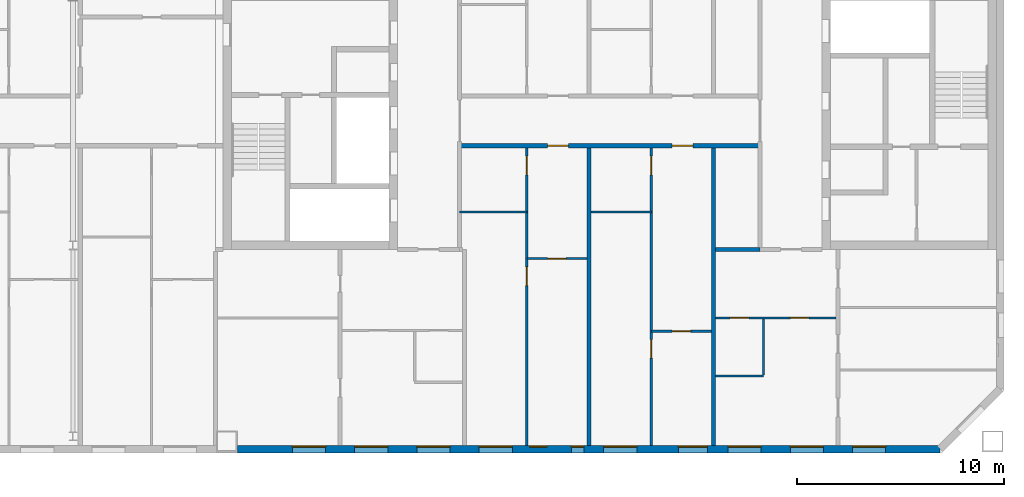
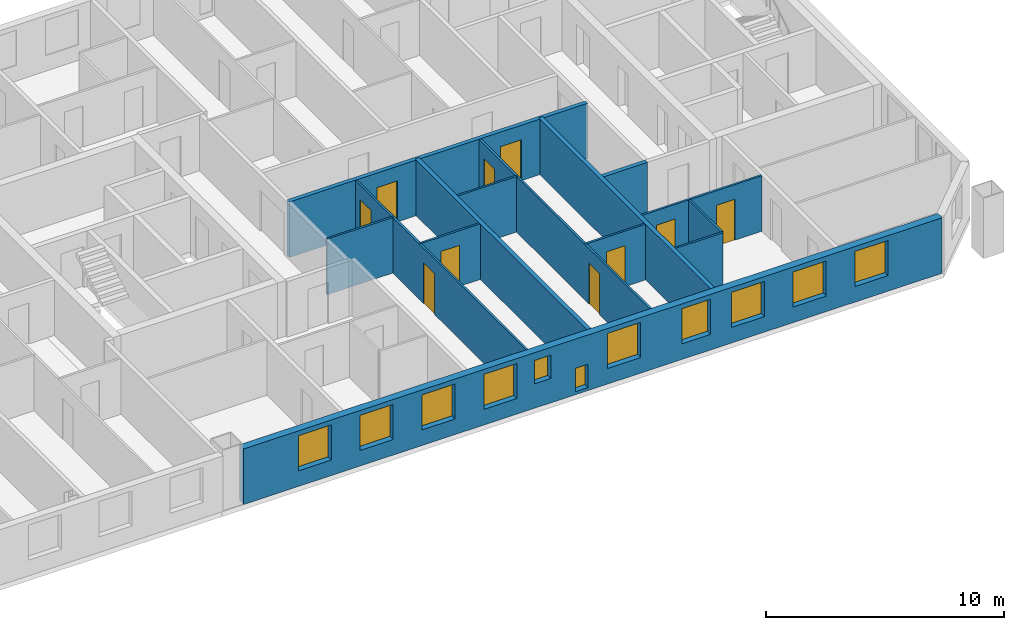
# One storey, part 14 of 19: 14 walls, 11 windows, 10 doors, 21 openings.
"""IFC4 building model written with IfcOpenShell, lengths in metres."""

from ifc_helpers import new_model, si_unit, direction, frame, frame_2d, origin, place, context, subcontext, project, spatial, rectangle, extrude, material, layer, layer_set, type_object, element, fill, save


model = new_model("IFC4")

# Units and contexts
model_context = context("Model", 3, precision=1e-05, world=origin(), true_north=direction((0.0, 1.0)))
body_context = subcontext(model_context, "Body", "Model", "MODEL_VIEW")
ifc_project = project(units=[si_unit("LENGTHUNIT", "METRE"), si_unit("AREAUNIT", "SQUARE_METRE"), si_unit("VOLUMEUNIT", "CUBIC_METRE"), si_unit("PLANEANGLEUNIT", "RADIAN"), si_unit("MASSUNIT", "GRAM", prefix="KILO")], contexts=[model_context])

# Site, building, storey
site_placement = place(None, origin())
site = spatial("IfcSite", under=ifc_project, at=site_placement, CompositionType="ELEMENT")
building_placement = place(site_placement, origin())
building = spatial("IfcBuilding", under=site, at=building_placement, Name="Tuart Gate Housing", CompositionType="ELEMENT")
storey_placement = place(building_placement, frame((0.0, 0.0, 230.699951171875)))
storey = spatial("IfcBuildingStorey", under=building, at=storey_placement, Name="L65", CompositionType="ELEMENT", Elevation=230.699951171875)

# Wall, openings, windows
ifc_material_1 = material(Name="Brick", Category="masonry")
ifc_layer_1 = layer(ifc_material_1, 0.360107421875)
ifc_layer_set_1 = layer_set([ifc_layer_1], Name="Brick pier and spandrel wall 360")
wall_type_1 = type_object("IfcWallType", Name="Brick pier and spandrel wall 360", PredefinedType="STANDARD", material=ifc_layer_set_1)
wall_1_placement = place(storey_placement, frame((132.050048828125, 54.179931640625, 0.0), z_axis=(0.0, 0.0, 1.0), x_axis=(1.0, 0.0, 0.0)))
wall_1 = element("IfcWall", 1, at=wall_1_placement, inside=storey, type_object=wall_type_1, Name="External wall BLK-S L65", PredefinedType="STANDARD", context=body_context, shape_type="SweptSolid", body=[
    extrude(rectangle(XDim=33.87548828125, YDim=0.360107421875, at=frame_2d((16.937744140625, 0.0))), origin(), (0.0, 0.0, 1.0), 2.85009765625),
])
opening_1_placement = place(wall_1_placement, frame((2.64990234375, 0.0, 0.800048828125)))
opening_1 = element("IfcOpeningElement", 2, at=opening_1_placement, cuts=wall_1, Name="Opening W1", PredefinedType="OPENING", context=body_context, shape_type="SweptSolid", body=[
    extrude(rectangle(XDim=1.60009765625, YDim=1.800048828125, at=frame_2d((0.800048828125, 0.89990234375))), frame((0.0, 0.18994140625, 0.0), z_axis=(0.0, -1.0, 0.0), x_axis=(1.0, 0.0, 0.0)), (0.0, 0.0, 1.0), 0.380126953125),
])
opening_2_placement = place(wall_1_placement, frame((5.64990234375, 0.0, 0.800048828125)))
opening_2 = element("IfcOpeningElement", 3, at=opening_2_placement, cuts=wall_1, Name="Opening W1", PredefinedType="OPENING", context=body_context, shape_type="SweptSolid", body=[
    extrude(rectangle(XDim=1.60009765625, YDim=1.800048828125, at=frame_2d((0.800048828125, 0.89990234375))), frame((0.0, 0.18994140625, 0.0), z_axis=(0.0, -1.0, 0.0), x_axis=(1.0, 0.0, 0.0)), (0.0, 0.0, 1.0), 0.380126953125),
])
opening_3_placement = place(wall_1_placement, frame((8.64990234375, 0.0, 0.800048828125)))
opening_3 = element("IfcOpeningElement", 4, at=opening_3_placement, cuts=wall_1, Name="Opening W1", PredefinedType="OPENING", context=body_context, shape_type="SweptSolid", body=[
    extrude(rectangle(XDim=1.60009765625, YDim=1.800048828125, at=frame_2d((0.800048828125, 0.89990234375))), frame((0.0, 0.18994140625, 0.0), z_axis=(0.0, -1.0, 0.0), x_axis=(1.0, 0.0, 0.0)), (0.0, 0.0, 1.0), 0.380126953125),
])
opening_4_placement = place(wall_1_placement, frame((11.64990234375, 0.0, 0.800048828125)))
opening_4 = element("IfcOpeningElement", 5, at=opening_4_placement, cuts=wall_1, Name="Opening W1", PredefinedType="OPENING", context=body_context, shape_type="SweptSolid", body=[
    extrude(rectangle(XDim=1.60009765625, YDim=1.800048828125, at=frame_2d((0.800048828125, 0.89990234375))), frame((0.0, 0.18994140625, 0.0), z_axis=(0.0, -1.0, 0.0), x_axis=(1.0, 0.0, 0.0)), (0.0, 0.0, 1.0), 0.380126953125),
])
opening_5_placement = place(wall_1_placement, frame((14.10009765625, 0.0, 1.25)))
opening_5 = element("IfcOpeningElement", 6, at=opening_5_placement, cuts=wall_1, Name="Opening W1P", PredefinedType="OPENING", context=body_context, shape_type="SweptSolid", body=[
    extrude(rectangle(XDim=0.800048828125, YDim=1.199951171875, at=frame_2d((0.39990234375, 0.60009765625))), frame((0.0, 0.18994140625, 0.0), z_axis=(0.0, -1.0, 0.0), x_axis=(1.0, 0.0, 0.0)), (0.0, 0.0, 1.0), 0.380126953125),
])
opening_6_placement = place(wall_1_placement, frame((17.64990234375, 0.0, 0.800048828125)))
opening_6 = element("IfcOpeningElement", 7, at=opening_6_placement, cuts=wall_1, Name="Opening W1", PredefinedType="OPENING", context=body_context, shape_type="SweptSolid", body=[
    extrude(rectangle(XDim=1.60009765625, YDim=1.800048828125, at=frame_2d((0.800048828125, 0.89990234375))), frame((0.0, 0.18994140625, 0.0), z_axis=(0.0, -1.0, 0.0), x_axis=(1.0, 0.0, 0.0)), (0.0, 0.0, 1.0), 0.380126953125),
])
opening_7_placement = place(wall_1_placement, frame((21.25, 0.0, 0.800048828125)))
opening_7 = element("IfcOpeningElement", 8, at=opening_7_placement, cuts=wall_1, Name="Opening W1A", PredefinedType="OPENING", context=body_context, shape_type="SweptSolid", body=[
    extrude(rectangle(XDim=1.39990234375, YDim=1.800048828125, at=frame_2d((0.699951171875, 0.89990234375))), frame((0.0, 0.18994140625, 0.0), z_axis=(0.0, -1.0, 0.0), x_axis=(1.0, 0.0, 0.0)), (0.0, 0.0, 1.0), 0.380126953125),
])
opening_8_placement = place(wall_1_placement, frame((23.64990234375, 0.0, 0.800048828125)))
opening_8 = element("IfcOpeningElement", 9, at=opening_8_placement, cuts=wall_1, Name="Opening W1", PredefinedType="OPENING", context=body_context, shape_type="SweptSolid", body=[
    extrude(rectangle(XDim=1.60009765625, YDim=1.800048828125, at=frame_2d((0.800048828125, 0.89990234375))), frame((0.0, 0.18994140625, 0.0), z_axis=(0.0, -1.0, 0.0), x_axis=(1.0, 0.0, 0.0)), (0.0, 0.0, 1.0), 0.380126953125),
])
opening_9_placement = place(wall_1_placement, frame((26.64990234375, 0.0, 0.800048828125)))
opening_9 = element("IfcOpeningElement", 10, at=opening_9_placement, cuts=wall_1, Name="Opening W1", PredefinedType="OPENING", context=body_context, shape_type="SweptSolid", body=[
    extrude(rectangle(XDim=1.60009765625, YDim=1.800048828125, at=frame_2d((0.800048828125, 0.89990234375))), frame((0.0, 0.18994140625, 0.0), z_axis=(0.0, -1.0, 0.0), x_axis=(1.0, 0.0, 0.0)), (0.0, 0.0, 1.0), 0.380126953125),
])
opening_10_placement = place(wall_1_placement, frame((29.64990234375, 0.0, 0.800048828125)))
opening_10 = element("IfcOpeningElement", 11, at=opening_10_placement, cuts=wall_1, Name="Opening W1", PredefinedType="OPENING", context=body_context, shape_type="SweptSolid", body=[
    extrude(rectangle(XDim=1.60009765625, YDim=1.800048828125, at=frame_2d((0.800048828125, 0.89990234375))), frame((0.0, 0.18994140625, 0.0), z_axis=(0.0, -1.0, 0.0), x_axis=(1.0, 0.0, 0.0)), (0.0, 0.0, 1.0), 0.380126953125),
])
opening_11_placement = place(wall_1_placement, frame((16.10009765625, 0.0, 0.14990234375)))
opening_11 = element("IfcOpeningElement", 12, at=opening_11_placement, cuts=wall_1, Name="Opening W1Q", PredefinedType="OPENING", context=body_context, shape_type="SweptSolid", body=[
    extrude(rectangle(XDim=0.60009765625, YDim=1.199951171875, at=frame_2d((0.300048828125, 0.60009765625))), frame((0.0, 0.18994140625, 0.0), z_axis=(0.0, -1.0, 0.0), x_axis=(1.0, 0.0, 0.0)), (0.0, 0.0, 1.0), 0.380126953125),
])
ifc_material_2 = material(Name="Aluminium frame with clear glass", Category="aluminium")
window_type_1 = type_object("IfcWindowType", Name="Punched window 1400 x 1800", PartitioningType="SINGLE_PANEL", PredefinedType="WINDOW", material=ifc_material_2)
window_1_placement = place(opening_7_placement, origin())
window_1 = element("IfcWindow", 13, at=window_1_placement, inside=storey, type_object=window_type_1, Name="Window W1A", OverallHeight=1.800048828125, OverallWidth=1.39990234375, PartitioningType="SINGLE_PANEL", PredefinedType="WINDOW", context=body_context, shape_type="SweptSolid", body=[
    extrude(rectangle(XDim=1.39990234375, YDim=1.800048828125, at=frame_2d((0.699951171875, 0.89990234375))), frame((0.0, 0.150146484375, 0.0), z_axis=(0.0, -1.0, 0.0), x_axis=(1.0, 0.0, 0.0)), (0.0, 0.0, 1.0), 0.06005859375),
])
fill(opening_7, window_1)
ifc_material_3 = material(Name="Aluminium frame with clear glass", Category="aluminium")
window_type_2 = type_object("IfcWindowType", Name="Punched window 1600 x 1800", PartitioningType="SINGLE_PANEL", PredefinedType="WINDOW", material=ifc_material_3)
window_2_placement = place(opening_1_placement, origin())
window_2 = element("IfcWindow", 14, at=window_2_placement, inside=storey, type_object=window_type_2, Name="Window W1", OverallHeight=1.800048828125, OverallWidth=1.60009765625, PartitioningType="SINGLE_PANEL", PredefinedType="WINDOW", context=body_context, shape_type="SweptSolid", body=[
    extrude(rectangle(XDim=1.60009765625, YDim=1.800048828125, at=frame_2d((0.800048828125, 0.89990234375))), frame((0.0, 0.150146484375, 0.0), z_axis=(0.0, -1.0, 0.0), x_axis=(1.0, 0.0, 0.0)), (0.0, 0.0, 1.0), 0.06005859375),
])
fill(opening_1, window_2)
window_3_placement = place(opening_2_placement, origin())
window_3 = element("IfcWindow", 15, at=window_3_placement, inside=storey, type_object=window_type_2, Name="Window W1", OverallHeight=1.800048828125, OverallWidth=1.60009765625, PartitioningType="SINGLE_PANEL", PredefinedType="WINDOW", context=body_context, shape_type="SweptSolid", body=[
    extrude(rectangle(XDim=1.60009765625, YDim=1.800048828125, at=frame_2d((0.800048828125, 0.89990234375))), frame((0.0, 0.150146484375, 0.0), z_axis=(0.0, -1.0, 0.0), x_axis=(1.0, 0.0, 0.0)), (0.0, 0.0, 1.0), 0.06005859375),
])
fill(opening_2, window_3)
window_4_placement = place(opening_3_placement, origin())
window_4 = element("IfcWindow", 16, at=window_4_placement, inside=storey, type_object=window_type_2, Name="Window W1", OverallHeight=1.800048828125, OverallWidth=1.60009765625, PartitioningType="SINGLE_PANEL", PredefinedType="WINDOW", context=body_context, shape_type="SweptSolid", body=[
    extrude(rectangle(XDim=1.60009765625, YDim=1.800048828125, at=frame_2d((0.800048828125, 0.89990234375))), frame((0.0, 0.150146484375, 0.0), z_axis=(0.0, -1.0, 0.0), x_axis=(1.0, 0.0, 0.0)), (0.0, 0.0, 1.0), 0.06005859375),
])
fill(opening_3, window_4)
window_5_placement = place(opening_4_placement, origin())
window_5 = element("IfcWindow", 17, at=window_5_placement, inside=storey, type_object=window_type_2, Name="Window W1", OverallHeight=1.800048828125, OverallWidth=1.60009765625, PartitioningType="SINGLE_PANEL", PredefinedType="WINDOW", context=body_context, shape_type="SweptSolid", body=[
    extrude(rectangle(XDim=1.60009765625, YDim=1.800048828125, at=frame_2d((0.800048828125, 0.89990234375))), frame((0.0, 0.150146484375, 0.0), z_axis=(0.0, -1.0, 0.0), x_axis=(1.0, 0.0, 0.0)), (0.0, 0.0, 1.0), 0.06005859375),
])
fill(opening_4, window_5)
window_6_placement = place(opening_6_placement, origin())
window_6 = element("IfcWindow", 18, at=window_6_placement, inside=storey, type_object=window_type_2, Name="Window W1", OverallHeight=1.800048828125, OverallWidth=1.60009765625, PartitioningType="SINGLE_PANEL", PredefinedType="WINDOW", context=body_context, shape_type="SweptSolid", body=[
    extrude(rectangle(XDim=1.60009765625, YDim=1.800048828125, at=frame_2d((0.800048828125, 0.89990234375))), frame((0.0, 0.150146484375, 0.0), z_axis=(0.0, -1.0, 0.0), x_axis=(1.0, 0.0, 0.0)), (0.0, 0.0, 1.0), 0.06005859375),
])
fill(opening_6, window_6)
window_7_placement = place(opening_8_placement, origin())
window_7 = element("IfcWindow", 19, at=window_7_placement, inside=storey, type_object=window_type_2, Name="Window W1", OverallHeight=1.800048828125, OverallWidth=1.60009765625, PartitioningType="SINGLE_PANEL", PredefinedType="WINDOW", context=body_context, shape_type="SweptSolid", body=[
    extrude(rectangle(XDim=1.60009765625, YDim=1.800048828125, at=frame_2d((0.800048828125, 0.89990234375))), frame((0.0, 0.150146484375, 0.0), z_axis=(0.0, -1.0, 0.0), x_axis=(1.0, 0.0, 0.0)), (0.0, 0.0, 1.0), 0.06005859375),
])
fill(opening_8, window_7)
window_8_placement = place(opening_9_placement, origin())
window_8 = element("IfcWindow", 20, at=window_8_placement, inside=storey, type_object=window_type_2, Name="Window W1", OverallHeight=1.800048828125, OverallWidth=1.60009765625, PartitioningType="SINGLE_PANEL", PredefinedType="WINDOW", context=body_context, shape_type="SweptSolid", body=[
    extrude(rectangle(XDim=1.60009765625, YDim=1.800048828125, at=frame_2d((0.800048828125, 0.89990234375))), frame((0.0, 0.150146484375, 0.0), z_axis=(0.0, -1.0, 0.0), x_axis=(1.0, 0.0, 0.0)), (0.0, 0.0, 1.0), 0.06005859375),
])
fill(opening_9, window_8)
window_9_placement = place(opening_10_placement, origin())
window_9 = element("IfcWindow", 21, at=window_9_placement, inside=storey, type_object=window_type_2, Name="Window W1", OverallHeight=1.800048828125, OverallWidth=1.60009765625, PartitioningType="SINGLE_PANEL", PredefinedType="WINDOW", context=body_context, shape_type="SweptSolid", body=[
    extrude(rectangle(XDim=1.60009765625, YDim=1.800048828125, at=frame_2d((0.800048828125, 0.89990234375))), frame((0.0, 0.150146484375, 0.0), z_axis=(0.0, -1.0, 0.0), x_axis=(1.0, 0.0, 0.0)), (0.0, 0.0, 1.0), 0.06005859375),
])
fill(opening_10, window_9)
ifc_material_4 = material(Name="Aluminium frame with clear glass", Category="aluminium")
window_type_3 = type_object("IfcWindowType", Name="Punched window 600 x 1200", PartitioningType="SINGLE_PANEL", PredefinedType="WINDOW", material=ifc_material_4)
window_10_placement = place(opening_11_placement, origin())
window_10 = element("IfcWindow", 22, at=window_10_placement, inside=storey, type_object=window_type_3, Name="Window W1Q", OverallHeight=1.199951171875, OverallWidth=0.60009765625, PartitioningType="SINGLE_PANEL", PredefinedType="WINDOW", context=body_context, shape_type="SweptSolid", body=[
    extrude(rectangle(XDim=0.60009765625, YDim=1.199951171875, at=frame_2d((0.300048828125, 0.60009765625))), frame((0.0, 0.150146484375, 0.0), z_axis=(0.0, -1.0, 0.0), x_axis=(1.0, 0.0, 0.0)), (0.0, 0.0, 1.0), 0.06005859375),
])
fill(opening_11, window_10)
ifc_material_5 = material(Name="Aluminium frame with clear glass", Category="aluminium")
window_type_4 = type_object("IfcWindowType", Name="Punched window 800 x 1200", PartitioningType="SINGLE_PANEL", PredefinedType="WINDOW", material=ifc_material_5)
window_11_placement = place(opening_5_placement, origin())
window_11 = element("IfcWindow", 23, at=window_11_placement, inside=storey, type_object=window_type_4, Name="Window W1P", OverallHeight=1.199951171875, OverallWidth=0.800048828125, PartitioningType="SINGLE_PANEL", PredefinedType="WINDOW", context=body_context, shape_type="SweptSolid", body=[
    extrude(rectangle(XDim=0.800048828125, YDim=1.199951171875, at=frame_2d((0.39990234375, 0.60009765625))), frame((0.0, 0.150146484375, 0.0), z_axis=(0.0, -1.0, 0.0), x_axis=(1.0, 0.0, 0.0)), (0.0, 0.0, 1.0), 0.06005859375),
])
fill(opening_5, window_11)

# Wall, openings, doors
ifc_material_6 = material(Name="Concrete masonry 15 MPa", Category="masonry")
ifc_layer_2 = layer(ifc_material_6, 0.199951171875)
ifc_layer_set_2 = layer_set([ifc_layer_2], Name="Corridor wall masonry 200")
wall_type_2 = type_object("IfcWallType", Name="Corridor wall masonry 200", PredefinedType="PARTITIONING", material=ifc_layer_set_2)
wall_2_placement = place(storey_placement, frame((142.760009765625, 68.800048828125, 0.0), z_axis=(0.0, 0.0, 1.0), x_axis=(1.0, 0.0, 0.0)))
wall_2 = element("IfcWall", 24, at=wall_2_placement, inside=storey, type_object=wall_type_2, Name="Corridor wall masonry 200", PredefinedType="PARTITIONING", context=body_context, shape_type="SweptSolid", body=[
    extrude(rectangle(XDim=14.47998046875, YDim=0.199951171875, at=frame_2d((7.239990234375, 0.0))), origin(), (0.0, 0.0, 1.0), 2.85009765625),
])
opening_12_placement = place(wall_2_placement, frame((4.239990234375, 0.0, 0.0)))
opening_12 = element("IfcOpeningElement", 25, at=opening_12_placement, cuts=wall_2, Name="Opening D2585", PredefinedType="OPENING", context=body_context, shape_type="SweptSolid", body=[
    extrude(rectangle(XDim=1.0, YDim=2.10009765625, at=frame_2d((0.5, 1.050048828125))), frame((0.0, 0.10986328125, 0.0), z_axis=(0.0, -1.0, 0.0), x_axis=(1.0, 0.0, 0.0)), (0.0, 0.0, 1.0), 0.219970703125),
])
opening_13_placement = place(wall_2_placement, frame((10.239990234375, 0.0, 0.0)))
opening_13 = element("IfcOpeningElement", 26, at=opening_13_placement, cuts=wall_2, Name="Opening D2586", PredefinedType="OPENING", context=body_context, shape_type="SweptSolid", body=[
    extrude(rectangle(XDim=1.0, YDim=2.10009765625, at=frame_2d((0.5, 1.050048828125))), frame((0.0, 0.10986328125, 0.0), z_axis=(0.0, -1.0, 0.0), x_axis=(1.0, 0.0, 0.0)), (0.0, 0.0, 1.0), 0.219970703125),
])
ifc_material_7 = material(Name="Timber door leaf in steel frame", Category="steel")
door_type_1 = type_object("IfcDoorType", Name="Flat entrance door 1000 RH", OperationType="SINGLE_SWING_RIGHT", PredefinedType="DOOR", material=ifc_material_7)
door_1_placement = place(opening_12_placement, frame((1.0, 0.0, 0.0), z_axis=(0.0, 0.0, 1.0), x_axis=(-1.0, 0.0, 0.0)))
door_1 = element("IfcDoor", 27, at=door_1_placement, inside=storey, type_object=door_type_1, Name="Flat entrance door", OperationType="SINGLE_SWING_RIGHT", OverallHeight=2.10009765625, OverallWidth=1.0, PredefinedType="DOOR", context=body_context, shape_type="SweptSolid", body=[
    extrude(rectangle(XDim=1.0, YDim=2.10009765625, at=frame_2d((0.5, 1.050048828125))), frame((0.0, 0.025146484375, 0.0), z_axis=(0.0, -1.0, 0.0), x_axis=(1.0, 0.0, 0.0)), (0.0, 0.0, 1.0), 0.050048828125),
])
fill(opening_12, door_1)
door_2_placement = place(opening_13_placement, frame((1.0, 0.0, 0.0), z_axis=(0.0, 0.0, 1.0), x_axis=(-1.0, 0.0, 0.0)))
door_2 = element("IfcDoor", 28, at=door_2_placement, inside=storey, type_object=door_type_1, Name="Flat entrance door", OperationType="SINGLE_SWING_RIGHT", OverallHeight=2.10009765625, OverallWidth=1.0, PredefinedType="DOOR", context=body_context, shape_type="SweptSolid", body=[
    extrude(rectangle(XDim=1.0, YDim=2.10009765625, at=frame_2d((0.5, 1.050048828125))), frame((0.0, 0.025146484375, 0.0), z_axis=(0.0, -1.0, 0.0), x_axis=(1.0, 0.0, 0.0)), (0.0, 0.0, 1.0), 0.050048828125),
])
fill(opening_13, door_2)

# Wall
ifc_material_8 = material(Name="Gypsum board on steel studs", Category="steel")
ifc_layer_3 = layer(ifc_material_8, 0.10009765625)
ifc_layer_set_3 = layer_set([ifc_layer_3], Name="Partition 100")
wall_type_3 = type_object("IfcWallType", Name="Partition 100", PredefinedType="PARTITIONING", material=ifc_layer_set_3)
wall_3_placement = place(storey_placement, frame((155.10009765625, 57.699951171875, 0.0), z_axis=(0.0, 0.0, 1.0), x_axis=(1.0, 0.0, 0.0)))
element("IfcWall", 29, at=wall_3_placement, inside=storey, type_object=wall_type_3, Name="Partition 100", PredefinedType="PARTITIONING", context=body_context, shape_type="SweptSolid", body=[
    extrude(rectangle(XDim=2.2998046875, YDim=0.10009765625, at=frame_2d((1.14990234375, 0.0))), origin(), (0.0, 0.0, 1.0), 2.85009765625),
])

# Wall, opening, door
wall_4_placement = place(storey_placement, frame((152.0, 59.860107421875, 0.0), z_axis=(0.0, 0.0, 1.0), x_axis=(1.0, 0.0, 0.0)))
wall_4 = element("IfcWall", 30, at=wall_4_placement, inside=storey, type_object=wall_type_3, Name="Partition 100", PredefinedType="PARTITIONING", context=body_context, shape_type="SweptSolid", body=[
    extrude(rectangle(XDim=2.89990234375, YDim=0.10009765625, at=frame_2d((1.449951171875, 0.0))), origin(), (0.0, 0.0, 1.0), 2.85009765625),
])
opening_14_placement = place(wall_4_placement, frame((1.0, 0.0, 0.0)))
opening_14 = element("IfcOpeningElement", 31, at=opening_14_placement, cuts=wall_4, Name="Opening D2601", PredefinedType="OPENING", context=body_context, shape_type="SweptSolid", body=[
    extrude(rectangle(XDim=0.89990234375, YDim=2.10009765625, at=frame_2d((0.449951171875, 1.050048828125))), frame((0.0, 0.06005859375, 0.0), z_axis=(0.0, -1.0, 0.0), x_axis=(1.0, 0.0, 0.0)), (0.0, 0.0, 1.0), 0.1201171875),
])
ifc_material_9 = material(Name="Timber door leaf in steel frame", Category="steel")
door_type_2 = type_object("IfcDoorType", Name="Internal door 900", OperationType="SINGLE_SWING_LEFT", PredefinedType="DOOR", material=ifc_material_9)
door_3_placement = place(opening_14_placement, origin())
door_3 = element("IfcDoor", 32, at=door_3_placement, inside=storey, type_object=door_type_2, Name="Internal door", OperationType="SINGLE_SWING_LEFT", OverallHeight=2.10009765625, OverallWidth=0.89990234375, PredefinedType="DOOR", context=body_context, shape_type="SweptSolid", body=[
    extrude(rectangle(XDim=0.89990234375, YDim=2.10009765625, at=frame_2d((0.449951171875, 1.050048828125))), frame((0.0, 0.02490234375, 0.0), z_axis=(0.0, -1.0, 0.0), x_axis=(1.0, 0.0, 0.0)), (0.0, 0.0, 1.0), 0.050048828125),
])
fill(opening_14, door_3)

# Wall, openings, doors
wall_5_placement = place(storey_placement, frame((155.10009765625, 60.5, 0.0), z_axis=(0.0, 0.0, 1.0), x_axis=(1.0, 0.0, 0.0)))
wall_5 = element("IfcWall", 33, at=wall_5_placement, inside=storey, type_object=wall_type_3, Name="Partition 100", PredefinedType="PARTITIONING", context=body_context, shape_type="SweptSolid", body=[
    extrude(rectangle(XDim=5.7998046875, YDim=0.10009765625, at=frame_2d((2.89990234375, 0.0))), origin(), (0.0, 0.0, 1.0), 2.85009765625),
])
opening_15_placement = place(wall_5_placement, frame((3.60009765625, 0.0, 0.0)))
opening_15 = element("IfcOpeningElement", 34, at=opening_15_placement, cuts=wall_5, Name="Opening D2598", PredefinedType="OPENING", context=body_context, shape_type="SweptSolid", body=[
    extrude(rectangle(XDim=0.89990234375, YDim=2.10009765625, at=frame_2d((0.449951171875, 1.050048828125))), frame((0.0, 0.06005859375, 0.0), z_axis=(0.0, -1.0, 0.0), x_axis=(1.0, 0.0, 0.0)), (0.0, 0.0, 1.0), 0.1201171875),
])
opening_16_placement = place(wall_5_placement, frame((0.699951171875, 0.0, 0.0)))
opening_16 = element("IfcOpeningElement", 35, at=opening_16_placement, cuts=wall_5, Name="Opening D2597", PredefinedType="OPENING", context=body_context, shape_type="SweptSolid", body=[
    extrude(rectangle(XDim=0.89990234375, YDim=2.10009765625, at=frame_2d((0.449951171875, 1.050048828125))), frame((0.0, 0.06005859375, 0.0), z_axis=(0.0, -1.0, 0.0), x_axis=(1.0, 0.0, 0.0)), (0.0, 0.0, 1.0), 0.1201171875),
])
ifc_material_10 = material(Name="Timber door leaf in steel frame", Category="steel")
door_type_3 = type_object("IfcDoorType", Name="Bathroom door 900", OperationType="SINGLE_SWING_LEFT", PredefinedType="DOOR", material=ifc_material_10)
door_4_placement = place(opening_16_placement, frame((0.89990234375, 0.0, 0.0), z_axis=(0.0, 0.0, 1.0), x_axis=(-1.0, 0.0, 0.0)))
door_4 = element("IfcDoor", 36, at=door_4_placement, inside=storey, type_object=door_type_3, Name="Bathroom door", OperationType="SINGLE_SWING_LEFT", OverallHeight=2.10009765625, OverallWidth=0.89990234375, PredefinedType="DOOR", context=body_context, shape_type="SweptSolid", body=[
    extrude(rectangle(XDim=0.89990234375, YDim=2.10009765625, at=frame_2d((0.449951171875, 1.050048828125))), frame((0.0, 0.025146484375, 0.0), z_axis=(0.0, -1.0, 0.0), x_axis=(1.0, 0.0, 0.0)), (0.0, 0.0, 1.0), 0.050048828125),
])
fill(opening_16, door_4)
ifc_material_11 = material(Name="Timber door leaf in steel frame", Category="steel")
door_type_4 = type_object("IfcDoorType", Name="Internal door 900 RH", OperationType="SINGLE_SWING_RIGHT", PredefinedType="DOOR", material=ifc_material_11)
door_5_placement = place(opening_15_placement, origin())
door_5 = element("IfcDoor", 37, at=door_5_placement, inside=storey, type_object=door_type_4, Name="Internal door", OperationType="SINGLE_SWING_RIGHT", OverallHeight=2.10009765625, OverallWidth=0.89990234375, PredefinedType="DOOR", context=body_context, shape_type="SweptSolid", body=[
    extrude(rectangle(XDim=0.89990234375, YDim=2.10009765625, at=frame_2d((0.449951171875, 1.050048828125))), frame((0.0, 0.02490234375, 0.0), z_axis=(0.0, -1.0, 0.0), x_axis=(1.0, 0.0, 0.0)), (0.0, 0.0, 1.0), 0.050048828125),
])
fill(opening_15, door_5)

# Wall, opening, door
wall_6_placement = place(storey_placement, frame((146.0, 63.360107421875, 0.0), z_axis=(0.0, 0.0, 1.0), x_axis=(1.0, 0.0, 0.0)))
wall_6 = element("IfcWall", 38, at=wall_6_placement, inside=storey, type_object=wall_type_3, Name="Partition 100", PredefinedType="PARTITIONING", context=body_context, shape_type="SweptSolid", body=[
    extrude(rectangle(XDim=2.89990234375, YDim=0.10009765625, at=frame_2d((1.449951171875, 0.0))), origin(), (0.0, 0.0, 1.0), 2.85009765625),
])
opening_17_placement = place(wall_6_placement, frame((1.0, 0.0, 0.0)))
opening_17 = element("IfcOpeningElement", 39, at=opening_17_placement, cuts=wall_6, Name="Opening D2592", PredefinedType="OPENING", context=body_context, shape_type="SweptSolid", body=[
    extrude(rectangle(XDim=0.89990234375, YDim=2.10009765625, at=frame_2d((0.449951171875, 1.050048828125))), frame((0.0, 0.06005859375, 0.0), z_axis=(0.0, -1.0, 0.0), x_axis=(1.0, 0.0, 0.0)), (0.0, 0.0, 1.0), 0.1201171875),
])
door_6_placement = place(opening_17_placement, origin())
door_6 = element("IfcDoor", 40, at=door_6_placement, inside=storey, type_object=door_type_2, Name="Internal door", OperationType="SINGLE_SWING_LEFT", OverallHeight=2.10009765625, OverallWidth=0.89990234375, PredefinedType="DOOR", context=body_context, shape_type="SweptSolid", body=[
    extrude(rectangle(XDim=0.89990234375, YDim=2.10009765625, at=frame_2d((0.449951171875, 1.050048828125))), frame((0.0, 0.02490234375, 0.0), z_axis=(0.0, -1.0, 0.0), x_axis=(1.0, 0.0, 0.0)), (0.0, 0.0, 1.0), 0.050048828125),
])
fill(opening_17, door_6)

# Walls
wall_7_placement = place(storey_placement, frame((142.760009765625, 65.60009765625, 0.0), z_axis=(0.0, 0.0, 1.0), x_axis=(1.0, 0.0, 0.0)))
element("IfcWall", 41, at=wall_7_placement, inside=storey, type_object=wall_type_3, Name="Partition 100", PredefinedType="PARTITIONING", context=body_context, shape_type="SweptSolid", body=[
    extrude(rectangle(XDim=3.239990234375, YDim=0.10009765625, at=frame_2d((1.6201171875, 0.0))), origin(), (0.0, 0.0, 1.0), 2.85009765625),
])
wall_8_placement = place(storey_placement, frame((149.10009765625, 65.60009765625, 0.0), z_axis=(0.0, 0.0, 1.0), x_axis=(1.0, 0.0, 0.0)))
element("IfcWall", 42, at=wall_8_placement, inside=storey, type_object=wall_type_3, Name="Partition 100", PredefinedType="PARTITIONING", context=body_context, shape_type="SweptSolid", body=[
    extrude(rectangle(XDim=2.89990234375, YDim=0.10009765625, at=frame_2d((1.449951171875, 0.0))), origin(), (0.0, 0.0, 1.0), 2.85009765625),
])

# Wall, openings, doors
wall_9_placement = place(storey_placement, frame((146.0, 54.360107421875, 0.0), z_axis=(0.0, 0.0, 1.0), x_axis=(0.0, 1.0, 0.0)))
wall_9 = element("IfcWall", 43, at=wall_9_placement, inside=storey, type_object=wall_type_3, Name="Partition 100", PredefinedType="PARTITIONING", context=body_context, shape_type="SweptSolid", body=[
    extrude(rectangle(XDim=14.33984375, YDim=0.10009765625, at=frame_2d((7.169921875, 0.0))), origin(), (0.0, 0.0, 1.0), 2.85009765625),
])
opening_18_placement = place(wall_9_placement, frame((7.699951171875, 0.0, 0.0)))
opening_18 = element("IfcOpeningElement", 44, at=opening_18_placement, cuts=wall_9, Name="Opening D2594", PredefinedType="OPENING", context=body_context, shape_type="SweptSolid", body=[
    extrude(rectangle(XDim=0.89990234375, YDim=2.10009765625, at=frame_2d((0.449951171875, 1.050048828125))), frame((0.0, 0.06005859375, 0.0), z_axis=(0.0, -1.0, 0.0), x_axis=(1.0, 0.0, 0.0)), (0.0, 0.0, 1.0), 0.1201171875),
])
opening_19_placement = place(wall_9_placement, frame((13.0400390625, 0.0, 0.0)))
opening_19 = element("IfcOpeningElement", 45, at=opening_19_placement, cuts=wall_9, Name="Opening D2593", PredefinedType="OPENING", context=body_context, shape_type="SweptSolid", body=[
    extrude(rectangle(XDim=0.89990234375, YDim=2.10009765625, at=frame_2d((0.449951171875, 1.050048828125))), frame((0.0, 0.06005859375, 0.0), z_axis=(0.0, -1.0, 0.0), x_axis=(1.0, 0.0, 0.0)), (0.0, 0.0, 1.0), 0.1201171875),
])
ifc_material_12 = material(Name="Timber door leaf in steel frame", Category="steel")
door_type_5 = type_object("IfcDoorType", Name="Bathroom door 900 RH", OperationType="SINGLE_SWING_RIGHT", PredefinedType="DOOR", material=ifc_material_12)
door_7_placement = place(opening_19_placement, origin())
door_7 = element("IfcDoor", 46, at=door_7_placement, inside=storey, type_object=door_type_5, Name="Bathroom door", OperationType="SINGLE_SWING_RIGHT", OverallHeight=2.10009765625, OverallWidth=0.89990234375, PredefinedType="DOOR", context=body_context, shape_type="SweptSolid", body=[
    extrude(rectangle(XDim=0.89990234375, YDim=2.10009765625, at=frame_2d((0.449951171875, 1.050048828125))), frame((0.0, 0.02490234375, 0.0), z_axis=(0.0, -1.0, 0.0), x_axis=(1.0, 0.0, 0.0)), (0.0, 0.0, 1.0), 0.050048828125),
])
fill(opening_19, door_7)
door_8_placement = place(opening_18_placement, origin())
door_8 = element("IfcDoor", 47, at=door_8_placement, inside=storey, type_object=door_type_4, Name="Internal door", OperationType="SINGLE_SWING_RIGHT", OverallHeight=2.10009765625, OverallWidth=0.89990234375, PredefinedType="DOOR", context=body_context, shape_type="SweptSolid", body=[
    extrude(rectangle(XDim=0.89990234375, YDim=2.10009765625, at=frame_2d((0.449951171875, 1.050048828125))), frame((0.0, 0.02490234375, 0.0), z_axis=(0.0, -1.0, 0.0), x_axis=(1.0, 0.0, 0.0)), (0.0, 0.0, 1.0), 0.050048828125),
])
fill(opening_18, door_8)

wall_10_placement = place(storey_placement, frame((152.0, 54.360107421875, 0.0), z_axis=(0.0, 0.0, 1.0), x_axis=(0.0, 1.0, 0.0)))
wall_10 = element("IfcWall", 48, at=wall_10_placement, inside=storey, type_object=wall_type_3, Name="Partition 100", PredefinedType="PARTITIONING", context=body_context, shape_type="SweptSolid", body=[
    extrude(rectangle(XDim=14.33984375, YDim=0.10009765625, at=frame_2d((7.169921875, 0.0))), origin(), (0.0, 0.0, 1.0), 2.85009765625),
])
opening_20_placement = place(wall_10_placement, frame((4.199951171875, 0.0, 0.0)))
opening_20 = element("IfcOpeningElement", 49, at=opening_20_placement, cuts=wall_10, Name="Opening D2596", PredefinedType="OPENING", context=body_context, shape_type="SweptSolid", body=[
    extrude(rectangle(XDim=0.89990234375, YDim=2.10009765625, at=frame_2d((0.449951171875, 1.050048828125))), frame((0.0, 0.06005859375, 0.0), z_axis=(0.0, -1.0, 0.0), x_axis=(1.0, 0.0, 0.0)), (0.0, 0.0, 1.0), 0.1201171875),
])
opening_21_placement = place(wall_10_placement, frame((13.0400390625, 0.0, 0.0)))
opening_21 = element("IfcOpeningElement", 50, at=opening_21_placement, cuts=wall_10, Name="Opening D2595", PredefinedType="OPENING", context=body_context, shape_type="SweptSolid", body=[
    extrude(rectangle(XDim=0.89990234375, YDim=2.10009765625, at=frame_2d((0.449951171875, 1.050048828125))), frame((0.0, 0.06005859375, 0.0), z_axis=(0.0, -1.0, 0.0), x_axis=(1.0, 0.0, 0.0)), (0.0, 0.0, 1.0), 0.1201171875),
])
door_9_placement = place(opening_21_placement, origin())
door_9 = element("IfcDoor", 51, at=door_9_placement, inside=storey, type_object=door_type_5, Name="Bathroom door", OperationType="SINGLE_SWING_RIGHT", OverallHeight=2.10009765625, OverallWidth=0.89990234375, PredefinedType="DOOR", context=body_context, shape_type="SweptSolid", body=[
    extrude(rectangle(XDim=0.89990234375, YDim=2.10009765625, at=frame_2d((0.449951171875, 1.050048828125))), frame((0.0, 0.02490234375, 0.0), z_axis=(0.0, -1.0, 0.0), x_axis=(1.0, 0.0, 0.0)), (0.0, 0.0, 1.0), 0.050048828125),
])
fill(opening_21, door_9)
door_10_placement = place(opening_20_placement, origin())
door_10 = element("IfcDoor", 52, at=door_10_placement, inside=storey, type_object=door_type_2, Name="Internal door", OperationType="SINGLE_SWING_LEFT", OverallHeight=2.10009765625, OverallWidth=0.89990234375, PredefinedType="DOOR", context=body_context, shape_type="SweptSolid", body=[
    extrude(rectangle(XDim=0.89990234375, YDim=2.10009765625, at=frame_2d((0.449951171875, 1.050048828125))), frame((0.0, 0.02490234375, 0.0), z_axis=(0.0, -1.0, 0.0), x_axis=(1.0, 0.0, 0.0)), (0.0, 0.0, 1.0), 0.050048828125),
])
fill(opening_20, door_10)

# Walls
wall_11_placement = place(storey_placement, frame((157.39990234375, 57.75, 0.0), z_axis=(0.0, 0.0, 1.0), x_axis=(0.0, 1.0, 0.0)))
element("IfcWall", 53, at=wall_11_placement, inside=storey, type_object=wall_type_3, Name="Partition 100", PredefinedType="PARTITIONING", context=body_context, shape_type="SweptSolid", body=[
    extrude(rectangle(XDim=2.699951171875, YDim=0.10009765625, at=frame_2d((1.35009765625, 0.0))), origin(), (0.0, 0.0, 1.0), 2.85009765625),
])
ifc_material_13 = material(Name="Concrete C40", Category="concrete")
ifc_layer_4 = layer(ifc_material_13, 0.199951171875)
ifc_layer_set_4 = layer_set([ifc_layer_4], Name="Party wall concrete C40 200")
wall_type_4 = type_object("IfcWallType", Name="Party wall concrete C40 200", PredefinedType="SOLIDWALL", material=ifc_layer_set_4)
for number, where, z_axis, x_axis, name in (
    (54, (149.0, 54.360107421875, 0.0), (0.0, 0.0, 1.0), (0.0, 1.0, 0.0), "Party wall concrete C40 200"),
    (55, (155.0, 54.360107421875, 0.0), (0.0, 0.0, 1.0), (0.0, 1.0, 0.0), "Party wall concrete C40 200"),
):
    element("IfcWall", number, at=place(storey_placement, frame(where, z_axis=z_axis, x_axis=x_axis)), inside=storey, type_object=wall_type_4, Name=name, PredefinedType="SOLIDWALL", context=body_context, shape_type="SweptSolid", body=[
        extrude(rectangle(XDim=14.43994140625, YDim=0.199951171875, at=frame_2d((7.219970703125, 0.0))), origin(), (0.0, 0.0, 1.0), 2.85009765625),
    ])
ifc_material_14 = material(Name="Concrete masonry 15 MPa", Category="masonry")
ifc_layer_5 = layer(ifc_material_14, 0.199951171875)
ifc_layer_set_5 = layer_set([ifc_layer_5], Name="Party wall masonry 200")
wall_type_5 = type_object("IfcWallType", Name="Party wall masonry 200", PredefinedType="PARTITIONING", material=ifc_layer_set_5)
wall_12_placement = place(storey_placement, frame((155.10009765625, 63.800048828125, 0.0), z_axis=(0.0, 0.0, 1.0), x_axis=(1.0, 0.0, 0.0)))
element("IfcWall", 56, at=wall_12_placement, inside=storey, type_object=wall_type_5, Name="Party wall masonry 200", PredefinedType="PARTITIONING", context=body_context, shape_type="SweptSolid", body=[
    extrude(rectangle(XDim=2.139892578125, YDim=0.199951171875, at=frame_2d((1.06982421875, 0.0))), origin(), (0.0, 0.0, 1.0), 2.85009765625),
])

save(model, "model.ifc")
